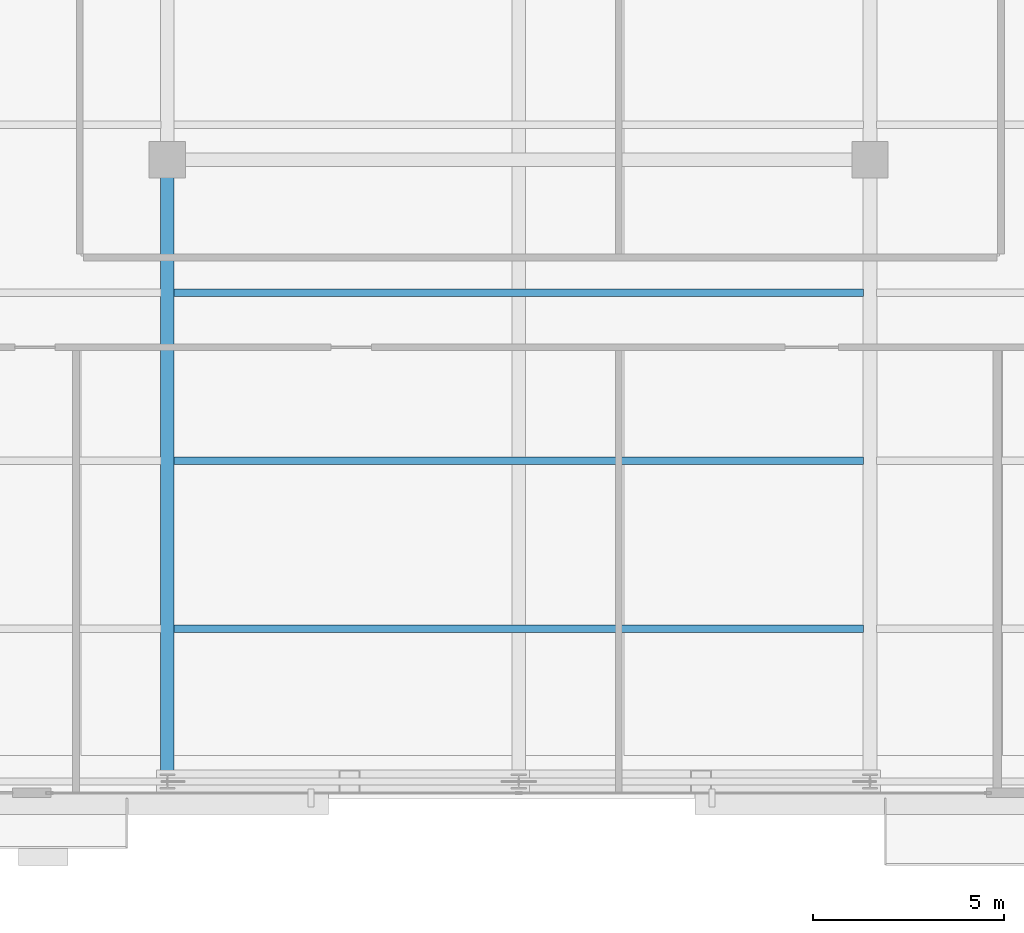
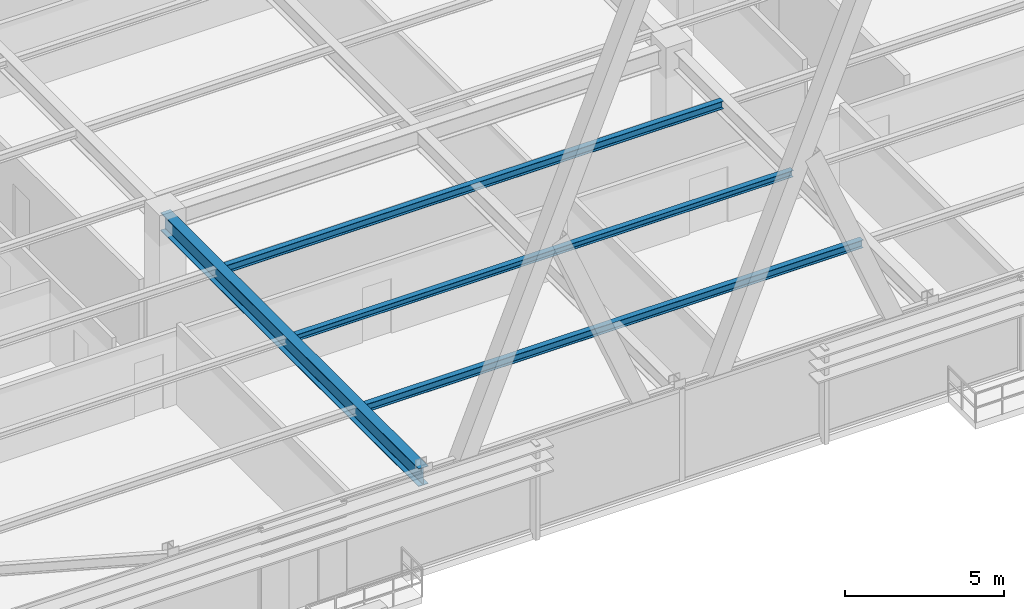
# One storey, part 9 of 38: 4 beams.
"""IFC4 building model written with IfcOpenShell, lengths in metres."""

import ifcopenshell
import ifcopenshell.guid

model = None  # the IFC model being written
_history = None  # IfcOwnerHistory: only IFC2X3 demands one
_inside = {}  # id of a spatial element -> (the spatial element, [elements in it])
_under = {}  # id of a project, library or spatial element -> (it, [spatial elements below it])
_declared = {}  # id of a project -> (the project, [libraries it declares])
_typed = {}  # id of a type object -> (the type object, [elements of that type])
_made_of = {}  # id of a material, layer set ... -> (it, [elements and type objects made of it])


def new_model(schema):
    """Start an empty IFC model of exactly this schema.

    Asked for "IFC4X3", IfcOpenShell would pick the latest addendum, in which some entities
    have other attributes; the version numbers below select the first issue.
    IFC2X3 requires an IfcOwnerHistory on every rooted entity: one is made here for all.
    """
    global model, _history
    if schema == "IFC4X3":
        model = ifcopenshell.file(schema_version=(4, 3, 0, 0))
    else:
        model = ifcopenshell.file(schema=schema)
    _inside.clear()
    _under.clear()
    _declared.clear()
    _typed.clear()
    _made_of.clear()
    _history = None
    if model.schema == "IFC2X3":
        org = make("IfcOrganization", Name="unknown")
        user = make(
            "IfcPersonAndOrganization",
            ThePerson=make("IfcPerson", FamilyName="unknown"),
            TheOrganization=org,
        )
        app = make(
            "IfcApplication",
            ApplicationDeveloper=org,
            Version="unknown",
            ApplicationFullName="unknown",
            ApplicationIdentifier="unknown",
        )
        _history = make(
            "IfcOwnerHistory",
            OwningUser=user,
            OwningApplication=app,
            ChangeAction="ADDED",
            CreationDate=0,
        )
    return model


def make(cls, **values):
    """One entity of the class cls with the attributes given. An attribute that is None is left unset."""
    return model.create_entity(
        cls, **{name: value for name, value in values.items() if value is not None}
    )


def rooted(cls, **values):
    """An entity with a GlobalId (a new one), such as an element, a storey or a relation."""
    return make(cls, GlobalId=ifcopenshell.guid.new(), OwnerHistory=_history, **values)


def si_unit(unit_type, name, prefix=None):
    """IfcSIUnit, for example si_unit("LENGTHUNIT", "METRE", prefix="MILLI")."""
    return make("IfcSIUnit", UnitType=unit_type, Prefix=prefix, Name=name)


def assignment(units):
    """IfcUnitAssignment: the units of a project."""
    return None if units is None else make("IfcUnitAssignment", Units=units)


def point(xyz):
    """IfcCartesianPoint."""
    return None if xyz is None else make("IfcCartesianPoint", Coordinates=xyz)


def direction(xyz):
    """IfcDirection."""
    return None if xyz is None else make("IfcDirection", DirectionRatios=xyz)


def frame(location, z_axis=None, x_axis=None):
    """IfcAxis2Placement3D, a coordinate frame: its origin and axes. An axis left out is left unset."""
    return make(
        "IfcAxis2Placement3D",
        Location=point(location),
        Axis=direction(z_axis),
        RefDirection=direction(x_axis),
    )


def frame_2d(location, x_axis=None):
    """IfcAxis2Placement2D, a coordinate frame in the plane: its origin and x axis."""
    return make(
        "IfcAxis2Placement2D", Location=point(location), RefDirection=direction(x_axis)
    )


def origin():
    """The frame at (0, 0, 0) with its axes left unset."""
    return frame((0.0, 0.0, 0.0))


def origin_2d():
    """The frame at (0, 0) in the plane with its x axis left unset."""
    return frame_2d((0.0, 0.0))


def place(relative_to, where):
    """IfcLocalPlacement: puts the frame where relative to a parent placement (None: the world)."""
    return make(
        "IfcLocalPlacement", PlacementRelTo=relative_to, RelativePlacement=where
    )


def context(
    kind, dimensions, precision=None, world=None, true_north=None, identifier=None
):
    """IfcGeometricRepresentationContext, for example the 3D "Model" context."""
    return make(
        "IfcGeometricRepresentationContext",
        ContextIdentifier=identifier,
        ContextType=kind,
        CoordinateSpaceDimension=dimensions,
        Precision=precision,
        WorldCoordinateSystem=world,
        TrueNorth=true_north,
    )


def subcontext(parent, identifier, kind, view, scale=None):
    """IfcGeometricRepresentationSubContext, for example "Body" below "Model"."""
    return make(
        "IfcGeometricRepresentationSubContext",
        ContextIdentifier=identifier,
        ContextType=kind,
        ParentContext=parent,
        TargetScale=scale,
        TargetView=view,
    )


def project(units=None, contexts=None):
    """IfcProject with its units and contexts."""
    return rooted(
        "IfcProject",
        Name="project",
        RepresentationContexts=contexts,
        UnitsInContext=assignment(units),
    )


def spatial(cls, under=None, at=None, **own):
    """A site, building, storey or space (cls), placed at a placement, below another one or the project."""
    s = rooted(cls, ObjectPlacement=at, **own)
    if under is not None:
        _under.setdefault(under.id(), (under, []))[1].append(s)
    return s


def profile(cls, at=None, kind="AREA", **sizes):
    """A parametric profile (cls). Its sizes go by their IFC names, for example OverallWidth=200.0."""
    return make(cls, ProfileType=kind, Position=at, **sizes)


def i_section(**sizes):
    """IfcIShapeProfileDef."""
    return profile("IfcIShapeProfileDef", **sizes)


def extrude(swept, where, along, depth):
    """IfcExtrudedAreaSolid: the profile swept, set in the frame where, extruded along a direction by depth."""
    return make(
        "IfcExtrudedAreaSolid",
        SweptArea=swept,
        Position=where,
        ExtrudedDirection=direction(along),
        Depth=depth,
    )


def shape(context_of_items, identifier, shape_type, items):
    """IfcShapeRepresentation: the items that make up one representation, for example the "Body"."""
    return make(
        "IfcShapeRepresentation",
        ContextOfItems=context_of_items,
        RepresentationIdentifier=identifier,
        RepresentationType=shape_type,
        Items=items,
    )


def source(mapping_origin, context_of_items, identifier, shape_type, items):
    """IfcRepresentationMap: a shape defined once, which mapped items show again and again."""
    return make(
        "IfcRepresentationMap",
        MappingOrigin=mapping_origin,
        MappedRepresentation=shape(context_of_items, identifier, shape_type, items),
    )


def transform(
    local_origin,
    x_axis=None,
    y_axis=None,
    z_axis=None,
    scale=None,
    scale2=None,
    scale3=None,
    uniform=True,
):
    """IfcCartesianTransformationOperator3D, or its non-uniform kind. x_axis, y_axis, z_axis: its Axis1, 2, 3."""
    if uniform:
        return make(
            "IfcCartesianTransformationOperator3D",
            Axis1=direction(x_axis),
            Axis2=direction(y_axis),
            LocalOrigin=point(local_origin),
            Scale=scale,
            Axis3=direction(z_axis),
        )
    return make(
        "IfcCartesianTransformationOperator3DnonUniform",
        Axis1=direction(x_axis),
        Axis2=direction(y_axis),
        LocalOrigin=point(local_origin),
        Scale=scale,
        Axis3=direction(z_axis),
        Scale2=scale2,
        Scale3=scale3,
    )


def mapped(mapping_source, mapping_target):
    """IfcMappedItem: shows the shape of a source again, moved by a transform."""
    return make(
        "IfcMappedItem", MappingSource=mapping_source, MappingTarget=mapping_target
    )


def material(Name=None, Category=None):
    """IfcMaterial."""
    return make("IfcMaterial", Name=Name, Category=Category)


def material_profile(
    of_material, cross_section, Name=None, Category=None, Priority=None
):
    """IfcMaterialProfile: a cross section and its material."""
    return make(
        "IfcMaterialProfile",
        Name=Name,
        Material=of_material,
        Profile=cross_section,
        Priority=Priority,
        Category=Category,
    )


def profile_set(profiles, Name=None, composite=None):
    """IfcMaterialProfileSet."""
    return make(
        "IfcMaterialProfileSet",
        Name=Name,
        MaterialProfiles=profiles,
        CompositeProfile=composite,
    )


def made_of(thing, what):
    """Note that an element or type object is made of a material, layer set ...; save() writes the relation."""
    if what is not None:
        _made_of.setdefault(what.id(), (what, []))[1].append(thing)
    return thing


def type_object(cls, material=None, **own):
    """A type object (cls), such as IfcWallType, which elements share."""
    return made_of(rooted(cls, **own), material)


def type_shapes(of_type, sources):
    """Give a type object the sources (RepresentationMaps) that its elements show as mapped items."""
    of_type.RepresentationMaps = sources


def element(
    cls,
    number,
    at=None,
    inside=None,
    cuts=None,
    type_object=None,
    material=None,
    context=None,
    identifier="Body",
    shape_type=None,
    held_by="IfcProductDefinitionShape",
    body=None,
    shapes=None,
    **own,
):
    """One element of the class cls, such as IfcWall. Its Tag is "e" and its number.

    at: its placement. inside: the storey or other place that contains it. cuts: it is an
    opening in that element (IfcRelVoidsElement). A single representation is given by context,
    identifier, shape_type and body (its items); several are given by shapes. held_by: the class
    of the entity that holds the representations. save() writes the other relations.
    """
    e = rooted(cls, Tag="e%d" % number, ObjectPlacement=at, **own)
    if body is not None:
        shapes = [shape(context, identifier, shape_type, body)]
    if shapes is not None:
        e.Representation = make(held_by, Representations=shapes)
    if inside is not None:
        _inside.setdefault(inside.id(), (inside, []))[1].append(e)
    if cuts is not None:
        rooted(
            "IfcRelVoidsElement", RelatingBuildingElement=cuts, RelatedOpeningElement=e
        )
    if type_object is not None:
        _typed.setdefault(type_object.id(), (type_object, []))[1].append(e)
    return made_of(e, material)


def aggregate(whole, parts):
    """IfcRelAggregates: a whole, such as a stair, and the parts it consists of."""
    return rooted("IfcRelAggregates", RelatingObject=whole, RelatedObjects=parts)


def save(model, path):
    """Write the relations noted so far, then the file.

    IfcRelAggregates (storeys below a building ...), IfcRelContainedInSpatialStructure (elements
    in a storey), IfcRelDefinesByType, IfcRelAssociatesMaterial and IfcRelDeclares: one each for
    every whole, place, type object, material and project.
    """
    for whole, parts in _under.values():
        aggregate(whole, parts)
    for where, things in _inside.values():
        rooted(
            "IfcRelContainedInSpatialStructure",
            RelatedElements=things,
            RelatingStructure=where,
        )
    for kind, things in _typed.values():
        rooted("IfcRelDefinesByType", RelatedObjects=things, RelatingType=kind)
    for what, things in _made_of.values():
        rooted("IfcRelAssociatesMaterial", RelatedObjects=things, RelatingMaterial=what)
    for by, libraries in _declared.values():
        rooted("IfcRelDeclares", RelatingContext=by, RelatedDefinitions=libraries)
    model.write(path)


model = new_model("IFC4")

# Units and contexts
model_context = context("Model", 3, precision=1e-05, world=origin(), true_north=direction((0.0, 1.0)))
body_context = subcontext(model_context, "Body", "Model", "MODEL_VIEW")
ifc_project = project(units=[si_unit("LENGTHUNIT", "METRE"), si_unit("AREAUNIT", "SQUARE_METRE"), si_unit("VOLUMEUNIT", "CUBIC_METRE"), si_unit("PLANEANGLEUNIT", "RADIAN"), si_unit("MASSUNIT", "GRAM", prefix="KILO")], contexts=[model_context])

# Site, building, storey
site_placement = place(None, origin())
site = spatial("IfcSite", under=ifc_project, at=site_placement, CompositionType="ELEMENT")
building_placement = place(site_placement, origin())
building = spatial("IfcBuilding", under=site, at=building_placement, Name="Varnel Quay Broadcast Tower", CompositionType="ELEMENT")
storey_placement = place(building_placement, frame((0.0, 0.0, 118.199951171875)))
storey = spatial("IfcBuildingStorey", under=building, at=storey_placement, Name="L28", CompositionType="ELEMENT", Elevation=118.199951171875)

# Beams
ifc_material = material(Name="Structural Steel CSA G40.21 350W", Category="steel")
ifc_material_profile_1 = material_profile(ifc_material, i_section(OverallWidth=0.35498046875, OverallDepth=0.695068359375, WebThickness=0.015380859375, FlangeThickness=0.02490234375, FilletRadius=0.01806640625, at=origin_2d()), Name="W690X217")
ifc_profile_set_1 = profile_set([ifc_material_profile_1], Name="Structural Steel CSA G40.21 350W")
beam_type_1 = type_object("IfcBeamType", Name="Girder_W690X217", PredefinedType="BEAM", material=ifc_profile_set_1)
shared_shape_1 = source(origin(), body_context, "Body", "SweptSolid", [
    extrude(i_section(OverallWidth=0.35498046875, OverallDepth=0.695068359375, WebThickness=0.015380859375, FlangeThickness=0.02490234375, FilletRadius=0.01806640625, at=origin_2d()), origin(), (0.0, 0.0, 1.0), 16.239990234375),
])
type_shapes(beam_type_1, [shared_shape_1])
beam_1_placement = place(storey_placement, frame((24.800048828125, 4.669921875, 3.20263671875), z_axis=(0.0, 1.0, 0.0), x_axis=(-1.0, 0.0, 0.0)))
element("IfcBeam", 1, at=beam_1_placement, inside=storey, type_object=beam_type_1, Name="L28 Primary Girder TC-S2-IC-01", PredefinedType="BEAM", context=body_context, shape_type="MappedRepresentation", body=[
    mapped(shared_shape_1, transform((0.0, 0.0, 0.0), x_axis=(1.0, 0.0, 0.0), y_axis=(0.0, 1.0, 0.0), z_axis=(0.0, 0.0, 1.0), scale=1.0)),
])
ifc_material_profile_2 = material_profile(ifc_material, i_section(OverallWidth=0.202880859375, OverallDepth=0.302978515625, WebThickness=0.007568359375, FlangeThickness=0.01318359375, FilletRadius=0.011962890625, at=origin_2d()), Name="W310X60")
ifc_profile_set_2 = profile_set([ifc_material_profile_2], Name="Structural Steel CSA G40.21 350W")
beam_type_2 = type_object("IfcBeamType", Name="Beam_W310X60", PredefinedType="JOIST", material=ifc_profile_set_2)
shared_shape_2 = source(origin(), body_context, "Body", "SweptSolid", [
    extrude(i_section(OverallWidth=0.202880859375, OverallDepth=0.302978515625, WebThickness=0.007568359375, FlangeThickness=0.01318359375, FilletRadius=0.011962890625, at=origin_2d()), origin(), (0.0, 0.0, 1.0), 18.05517578125),
])
type_shapes(beam_type_2, [shared_shape_2])
for number, where, z_axis, x_axis, name in (
    (2, (24.972412109375, 8.64990234375, 3.3984375), (1.0, 0.0, 0.0), (0.0, 1.0, 0.0), "L28 Central Floor Joist 1"),
    (3, (24.972412109375, 17.449951171875, 3.3984375), (1.0, 0.0, 0.0), (0.0, 1.0, 0.0), "L28 Central Floor Joist 3"),
):
    element("IfcBeam", number, at=place(storey_placement, frame(where, z_axis=z_axis, x_axis=x_axis)), inside=storey, type_object=beam_type_2, Name=name, PredefinedType="JOIST", context=body_context, shape_type="MappedRepresentation", body=[
        mapped(shared_shape_2, transform((0.0, 0.0, 0.0), x_axis=(1.0, 0.0, 0.0), y_axis=(0.0, 1.0, 0.0), z_axis=(0.0, 0.0, 1.0), scale=1.0)),
    ])
ifc_material_profile_3 = material_profile(ifc_material, i_section(OverallWidth=0.201904296875, OverallDepth=0.2470703125, WebThickness=0.00732421875, FlangeThickness=0.010986328125, FilletRadius=0.010986328125, at=origin_2d()), Name="W250X49")
ifc_profile_set_3 = profile_set([ifc_material_profile_3], Name="Structural Steel CSA G40.21 350W")
beam_type_3 = type_object("IfcBeamType", Name="Beam_W250X49", PredefinedType="JOIST", material=ifc_profile_set_3)
shared_shape_3 = source(origin(), body_context, "Body", "SweptSolid", [
    extrude(i_section(OverallWidth=0.201904296875, OverallDepth=0.2470703125, WebThickness=0.00732421875, FlangeThickness=0.010986328125, FilletRadius=0.010986328125, at=origin_2d()), origin(), (0.0, 0.0, 1.0), 18.05517578125),
])
type_shapes(beam_type_3, [shared_shape_3])
beam_2_placement = place(storey_placement, frame((24.972412109375, 13.050048828125, 3.426513671875), z_axis=(1.0, 0.0, 0.0), x_axis=(0.0, 1.0, 0.0)))
element("IfcBeam", 4, at=beam_2_placement, inside=storey, type_object=beam_type_3, Name="L28 Central Floor Joist 2", PredefinedType="JOIST", context=body_context, shape_type="MappedRepresentation", body=[
    mapped(shared_shape_3, transform((0.0, 0.0, 0.0), x_axis=(1.0, 0.0, 0.0), y_axis=(0.0, 1.0, 0.0), z_axis=(0.0, 0.0, 1.0), scale=1.0)),
])

save(model, "model.ifc")
